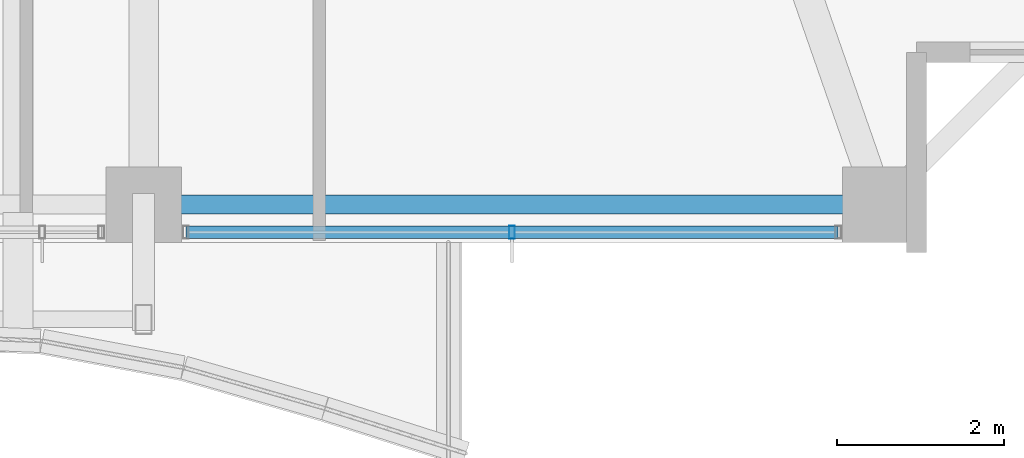
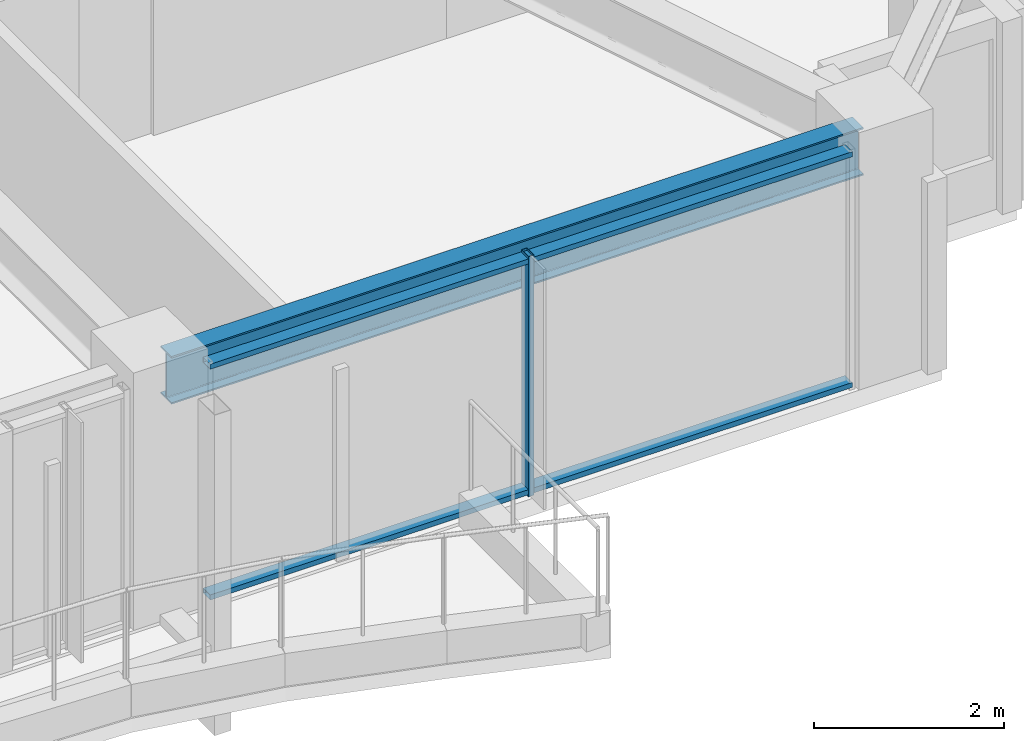
# One storey, part 6 of 37: 3 members, 1 beam, 1 element without a shape of its own.
"""IFC4 building model written with IfcOpenShell, lengths in metres."""

from ifc_helpers import new_model, si_unit, direction, frame, origin, origin_2d, place, context, subcontext, project, spatial, hollow_rectangle, i_section, extrude, material, material_profile, profile_set, type_object, element, aggregate, save


model = new_model("IFC4")

# Units and contexts
model_context = context("Model", 3, precision=1e-05, world=origin(), true_north=direction((0.0, 1.0)))
body_context = subcontext(model_context, "Body", "Model", "MODEL_VIEW")
ifc_project = project(units=[si_unit("LENGTHUNIT", "METRE"), si_unit("AREAUNIT", "SQUARE_METRE"), si_unit("VOLUMEUNIT", "CUBIC_METRE"), si_unit("PLANEANGLEUNIT", "RADIAN"), si_unit("MASSUNIT", "GRAM", prefix="KILO")], contexts=[model_context])

# Site, building, storey
site_placement = place(None, origin())
site = spatial("IfcSite", under=ifc_project, at=site_placement, CompositionType="ELEMENT")
building_placement = place(site_placement, origin())
building = spatial("IfcBuilding", under=site, at=building_placement, Name="Kolvaren Belvedere", CompositionType="ELEMENT")
storey_placement = place(building_placement, frame((0.0, 0.0, 173.39990234375)))
storey = spatial("IfcBuildingStorey", under=building, at=storey_placement, Name="L50", CompositionType="ELEMENT", Elevation=173.39990234375)

# Beam
ifc_material_1 = material(Name="Structural steel ASTM A992 Grade 50", Category="steel")
ifc_material_profile_1 = material_profile(ifc_material_1, i_section(OverallWidth=0.22900390625, OverallDepth=0.612060546875, WebThickness=0.011962890625, FlangeThickness=0.01953125, FilletRadius=0.01806640625, at=origin_2d()), Name="W24X84")
ifc_profile_set_1 = profile_set([ifc_material_profile_1], Name="Structural steel ASTM A992 Grade 50")
beam_type = type_object("IfcBeamType", Name="BM-SPAN-W24X84", PredefinedType="SPANDREL", material=ifc_profile_set_1)
beam_placement = place(storey_placement, frame((4.802490234375, -19.949951171875, 2.774169921875), z_axis=(1.0, 0.0, 0.0), x_axis=(0.0, 1.0, 0.0)))
element("IfcBeam", 1, at=beam_placement, inside=storey, type_object=beam_type, Name="L50 Perimeter Spandrel S3-S4", PredefinedType="SPANDREL", context=body_context, shape_type="SweptSolid", body=[
    extrude(i_section(OverallWidth=0.22900390625, OverallDepth=0.612060546875, WebThickness=0.011962890625, FlangeThickness=0.01953125, FilletRadius=0.01806640625, at=origin_2d()), origin(), (0.0, 0.0, 1.0), 8.39501953125),
])

# Curtain wall, members
ifc_material_2 = material(Name="Anodised pale-metal aluminium AA 6063-T6", Category="aluminium")
curtain_wall_type = type_object("IfcCurtainWallType", Name="CW-Z5-HIGH", PredefinedType="NOTDEFINED", material=ifc_material_2)
curtain_wall_placement = place(storey_placement, origin())
curtain_wall = element("IfcCurtainWall", 2, at=curtain_wall_placement, inside=storey, type_object=curtain_wall_type, Name="L50 Unitised Curtain Wall FCW-L50-S1-B1", PredefinedType="NOTDEFINED")
ifc_material_3 = material(Name="Anodised pale-metal aluminium AA 6063-T6", Category="aluminium")
ifc_material_profile_2 = material_profile(ifc_material_3, hollow_rectangle(XDim=0.070068359375, YDim=0.14990234375, WallThickness=0.004150390625, at=origin_2d()), Name="ALU-MUL-150X70")
ifc_profile_set_2 = profile_set([ifc_material_profile_2], Name="Anodised pale-metal aluminium AA 6063-T6")
member_type_1 = type_object("IfcMemberType", Name="CW-MUL-150", PredefinedType="MULLION", material=ifc_profile_set_2)
member_1_placement = place(storey_placement, frame((9.0, -20.280029296875, 0.0), z_axis=(0.0, 0.0, 1.0), x_axis=(1.0, 0.0, 0.0)))
member_1 = element("IfcMember", 3, at=member_1_placement, type_object=member_type_1, Name="FCW-L50-S1-B1 Unitised Mullion 2", PredefinedType="MULLION", context=body_context, shape_type="SweptSolid", body=[
    extrude(hollow_rectangle(XDim=0.070068359375, YDim=0.14990234375, WallThickness=0.004150390625, at=origin_2d()), origin(), (0.0, 0.0, 1.0), 3.080078125),
])
ifc_material_4 = material(Name="Anodised pale-metal aluminium AA 6063-T6", Category="aluminium")
ifc_material_profile_3 = material_profile(ifc_material_4, hollow_rectangle(XDim=0.06494140625, YDim=0.14990234375, WallThickness=0.00390625, at=origin_2d()), Name="ALU-TRN-150X65")
ifc_profile_set_3 = profile_set([ifc_material_profile_3], Name="Anodised pale-metal aluminium AA 6063-T6")
member_type_2 = type_object("IfcMemberType", Name="CW-TRN-150", PredefinedType="USERDEFINED", material=ifc_profile_set_3)
member_2_placement = place(storey_placement, frame((12.89501953125, -20.280029296875, 0.06005859375), z_axis=(-1.0, 0.0, 0.0), x_axis=(0.0, 0.0, 1.0)))
member_2 = element("IfcMember", 4, at=member_2_placement, type_object=member_type_2, Name="FCW-L50-S1-B1 Sill Transom", ObjectType="TRANSOM", PredefinedType="USERDEFINED", context=body_context, shape_type="SweptSolid", body=[
    extrude(hollow_rectangle(XDim=0.06494140625, YDim=0.14990234375, WallThickness=0.00390625, at=origin_2d()), origin(), (0.0, 0.0, 1.0), 7.7900390625),
])
member_3_placement = place(storey_placement, frame((12.89501953125, -20.280029296875, 3.02001953125), z_axis=(-1.0, 0.0, 0.0), x_axis=(0.0, 0.0, 1.0)))
member_3 = element("IfcMember", 5, at=member_3_placement, type_object=member_type_2, Name="FCW-L50-S1-B1 Head Transom", ObjectType="TRANSOM", PredefinedType="USERDEFINED", context=body_context, shape_type="SweptSolid", body=[
    extrude(hollow_rectangle(XDim=0.06494140625, YDim=0.14990234375, WallThickness=0.00390625, at=origin_2d()), origin(), (0.0, 0.0, 1.0), 7.7900390625),
])
aggregate(curtain_wall, [member_1, member_2, member_3])

save(model, "model.ifc")
